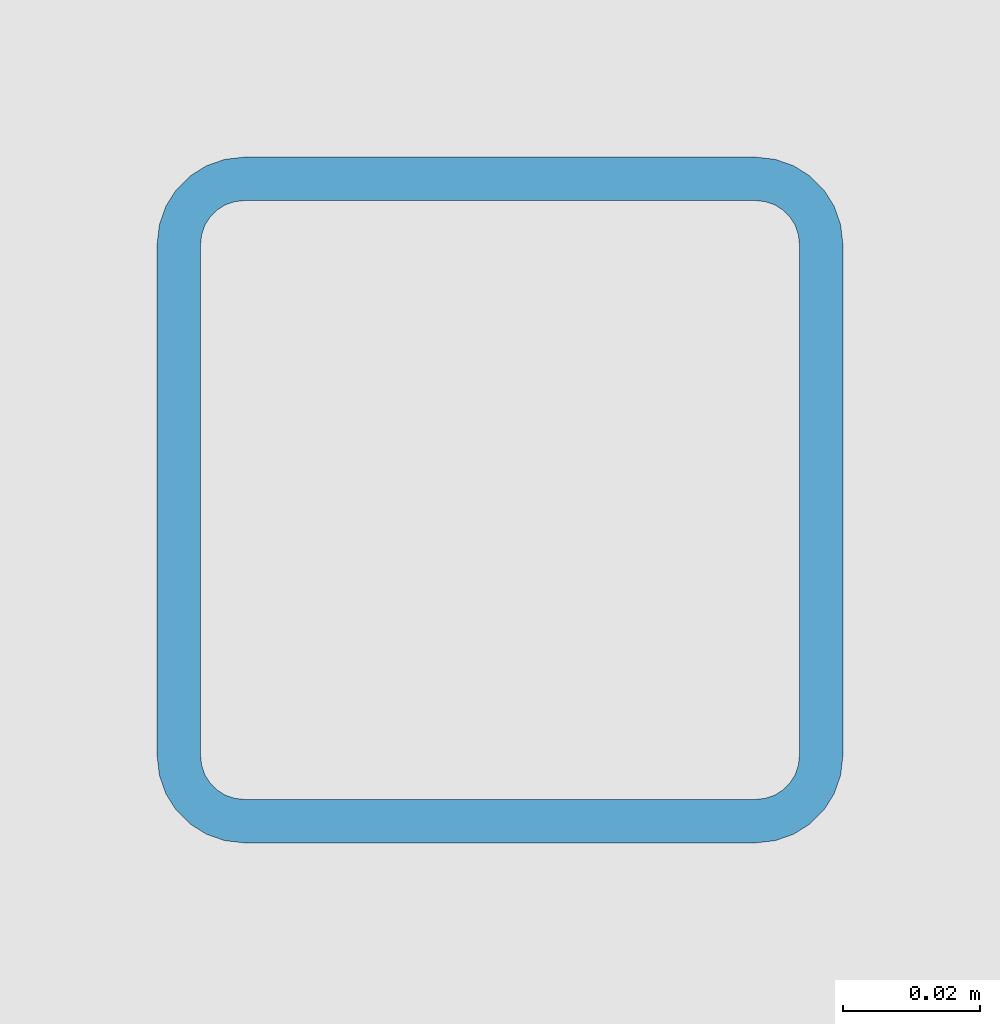
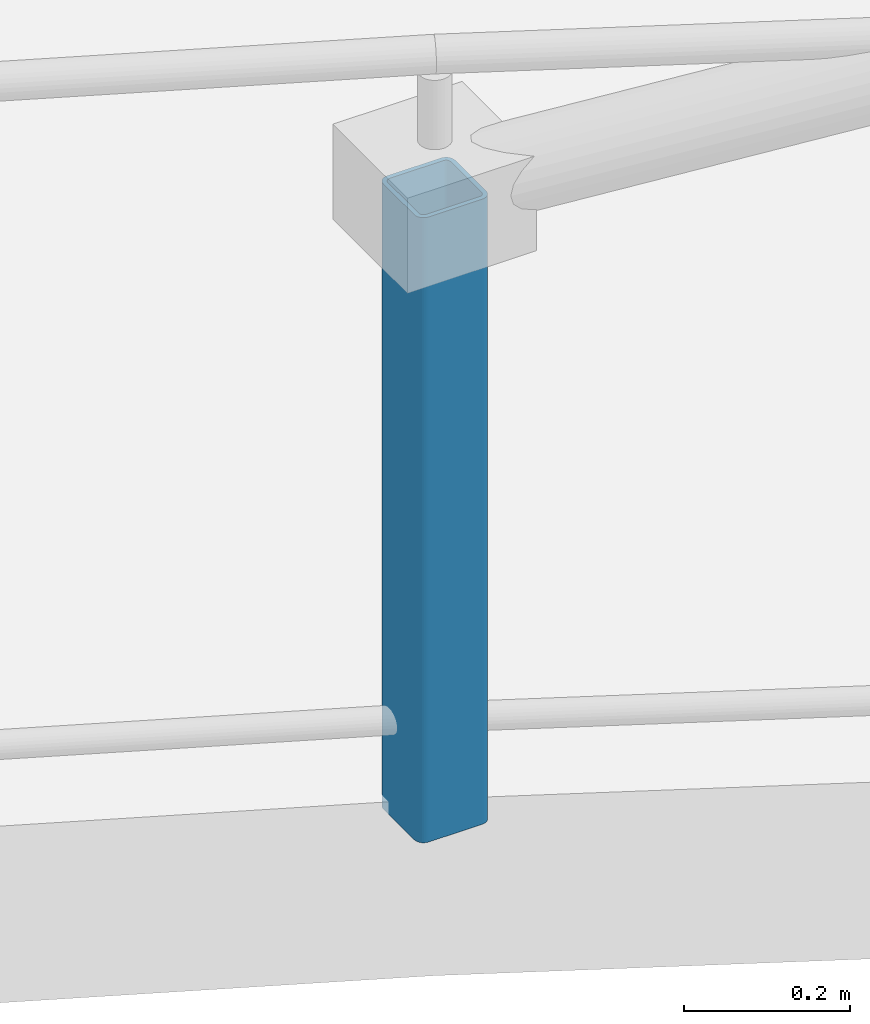
# One storey, part 23 of 58: 1 member.
"""IFC4 building model written with IfcOpenShell, lengths in metres."""

from ifc_helpers import new_model, si_unit, direction, frame, origin, origin_2d, place, context, subcontext, project, spatial, hollow_rectangle, extrude, material, material_profile, profile_set, type_object, element, save


model = new_model("IFC4")

# Units and contexts
model_context = context("Model", 3, precision=1e-05, world=origin(), true_north=direction((0.0, 1.0)))
body_context = subcontext(model_context, "Body", "Model", "MODEL_VIEW")
ifc_project = project(units=[si_unit("LENGTHUNIT", "METRE"), si_unit("AREAUNIT", "SQUARE_METRE"), si_unit("VOLUMEUNIT", "CUBIC_METRE"), si_unit("PLANEANGLEUNIT", "RADIAN"), si_unit("MASSUNIT", "GRAM", prefix="KILO"), si_unit("POWERUNIT", "WATT"), si_unit("THERMODYNAMICTEMPERATUREUNIT", "KELVIN")], contexts=[model_context])

# Site, building, storey
site_placement = place(None, origin())
site = spatial("IfcSite", under=ifc_project, at=site_placement, CompositionType="ELEMENT")
building_placement = place(site_placement, origin())
building = spatial("IfcBuilding", under=site, at=building_placement, Name="Ruvembo Vaulted Housing Court", CompositionType="ELEMENT")
storey_placement = place(building_placement, frame((0.0, 0.0, 20.5)))
storey = spatial("IfcBuildingStorey", under=building, at=storey_placement, Name="L06", CompositionType="ELEMENT", Elevation=20.5)

# Member
ifc_material = material(Name="Steel S355J2", Category="steel")
ifc_material_profile = material_profile(ifc_material, hollow_rectangle(XDim=0.10009765625, YDim=0.10009765625, WallThickness=0.00634765625, InnerFilletRadius=0.00634765625, OuterFilletRadius=0.0126953125, at=origin_2d()), Name="SHS 100x100x6.3")
ifc_profile_set = profile_set([ifc_material_profile], Name="Steel S355J2")
member_type = type_object("IfcMemberType", Name="MEM-FRM-SHS100", PredefinedType="STRUT", material=ifc_profile_set)
member_placement = place(storey_placement, frame((136.336181640625, 91.51806640625, -0.02001953125), z_axis=(0.0, 0.0, 1.0), x_axis=(1.0, 0.0, 0.0)))
element("IfcMember", 1, at=member_placement, inside=storey, type_object=member_type, Name="Scoop SC3 L06 Upswept Post 25A", PredefinedType="STRUT", context=body_context, shape_type="SweptSolid", body=[
    extrude(hollow_rectangle(XDim=0.10009765625, YDim=0.10009765625, WallThickness=0.00634765625, InnerFilletRadius=0.00634765625, OuterFilletRadius=0.0126953125, at=origin_2d()), origin(), (0.0, 0.0, 1.0), 0.919921875),
])

save(model, "model.ifc")
